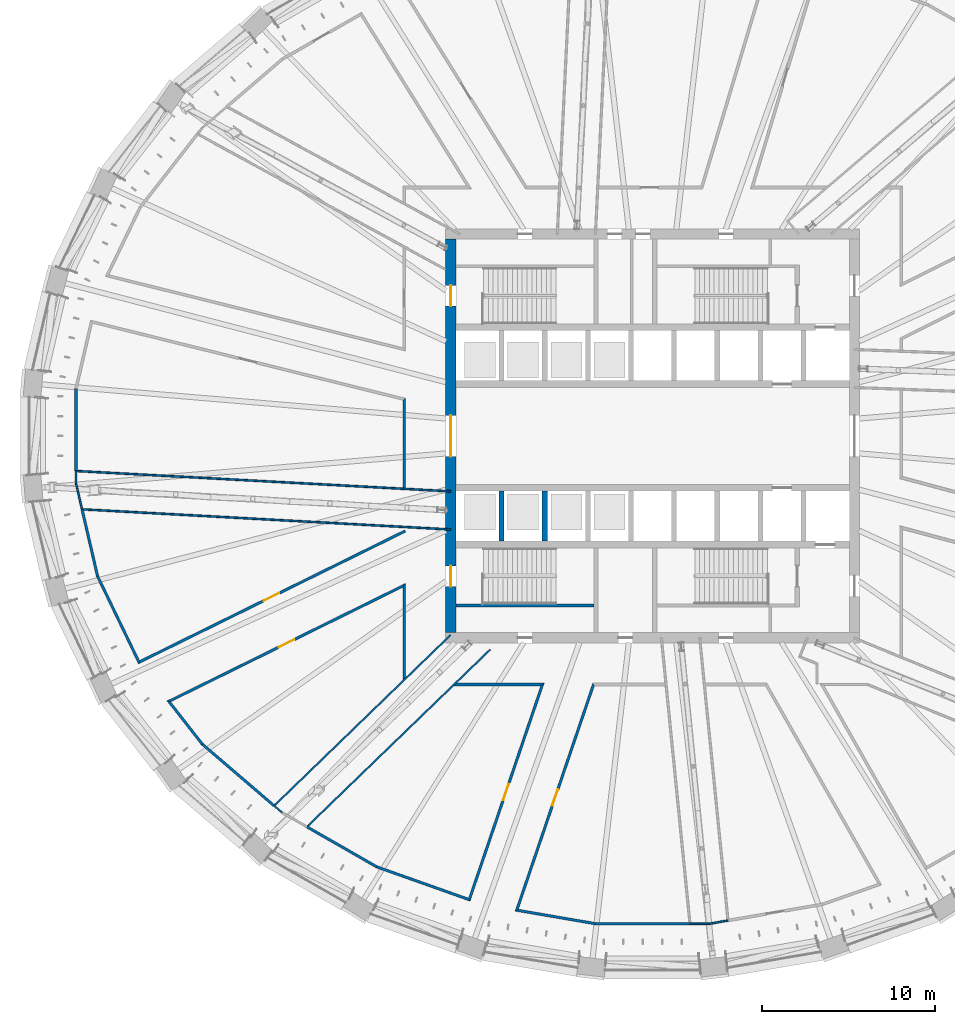
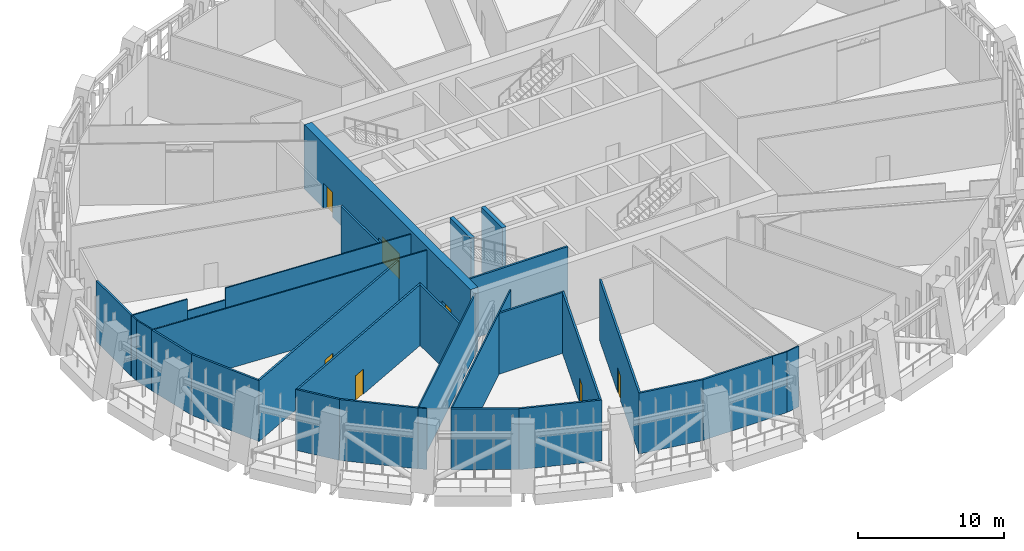
# One storey, part 7 of 22: 31 walls, 7 doors, 7 openings.
"""IFC4 building model written with IfcOpenShell, lengths in metres."""

import ifcopenshell
import ifcopenshell.guid

model = None  # the IFC model being written
_history = None  # IfcOwnerHistory: only IFC2X3 demands one
_inside = {}  # id of a spatial element -> (the spatial element, [elements in it])
_under = {}  # id of a project, library or spatial element -> (it, [spatial elements below it])
_declared = {}  # id of a project -> (the project, [libraries it declares])
_typed = {}  # id of a type object -> (the type object, [elements of that type])
_made_of = {}  # id of a material, layer set ... -> (it, [elements and type objects made of it])


def new_model(schema):
    """Start an empty IFC model of exactly this schema.

    Asked for "IFC4X3", IfcOpenShell would pick the latest addendum, in which some entities
    have other attributes; the version numbers below select the first issue.
    IFC2X3 requires an IfcOwnerHistory on every rooted entity: one is made here for all.
    """
    global model, _history
    if schema == "IFC4X3":
        model = ifcopenshell.file(schema_version=(4, 3, 0, 0))
    else:
        model = ifcopenshell.file(schema=schema)
    _inside.clear()
    _under.clear()
    _declared.clear()
    _typed.clear()
    _made_of.clear()
    _history = None
    if model.schema == "IFC2X3":
        org = make("IfcOrganization", Name="unknown")
        user = make(
            "IfcPersonAndOrganization",
            ThePerson=make("IfcPerson", FamilyName="unknown"),
            TheOrganization=org,
        )
        app = make(
            "IfcApplication",
            ApplicationDeveloper=org,
            Version="unknown",
            ApplicationFullName="unknown",
            ApplicationIdentifier="unknown",
        )
        _history = make(
            "IfcOwnerHistory",
            OwningUser=user,
            OwningApplication=app,
            ChangeAction="ADDED",
            CreationDate=0,
        )
    return model


def make(cls, **values):
    """One entity of the class cls with the attributes given. An attribute that is None is left unset."""
    return model.create_entity(
        cls, **{name: value for name, value in values.items() if value is not None}
    )


def rooted(cls, **values):
    """An entity with a GlobalId (a new one), such as an element, a storey or a relation."""
    return make(cls, GlobalId=ifcopenshell.guid.new(), OwnerHistory=_history, **values)


def si_unit(unit_type, name, prefix=None):
    """IfcSIUnit, for example si_unit("LENGTHUNIT", "METRE", prefix="MILLI")."""
    return make("IfcSIUnit", UnitType=unit_type, Prefix=prefix, Name=name)


def assignment(units):
    """IfcUnitAssignment: the units of a project."""
    return None if units is None else make("IfcUnitAssignment", Units=units)


def point(xyz):
    """IfcCartesianPoint."""
    return None if xyz is None else make("IfcCartesianPoint", Coordinates=xyz)


def direction(xyz):
    """IfcDirection."""
    return None if xyz is None else make("IfcDirection", DirectionRatios=xyz)


def frame(location, z_axis=None, x_axis=None):
    """IfcAxis2Placement3D, a coordinate frame: its origin and axes. An axis left out is left unset."""
    return make(
        "IfcAxis2Placement3D",
        Location=point(location),
        Axis=direction(z_axis),
        RefDirection=direction(x_axis),
    )


def frame_2d(location, x_axis=None):
    """IfcAxis2Placement2D, a coordinate frame in the plane: its origin and x axis."""
    return make(
        "IfcAxis2Placement2D", Location=point(location), RefDirection=direction(x_axis)
    )


def origin():
    """The frame at (0, 0, 0) with its axes left unset."""
    return frame((0.0, 0.0, 0.0))


def place(relative_to, where):
    """IfcLocalPlacement: puts the frame where relative to a parent placement (None: the world)."""
    return make(
        "IfcLocalPlacement", PlacementRelTo=relative_to, RelativePlacement=where
    )


def context(
    kind, dimensions, precision=None, world=None, true_north=None, identifier=None
):
    """IfcGeometricRepresentationContext, for example the 3D "Model" context."""
    return make(
        "IfcGeometricRepresentationContext",
        ContextIdentifier=identifier,
        ContextType=kind,
        CoordinateSpaceDimension=dimensions,
        Precision=precision,
        WorldCoordinateSystem=world,
        TrueNorth=true_north,
    )


def subcontext(parent, identifier, kind, view, scale=None):
    """IfcGeometricRepresentationSubContext, for example "Body" below "Model"."""
    return make(
        "IfcGeometricRepresentationSubContext",
        ContextIdentifier=identifier,
        ContextType=kind,
        ParentContext=parent,
        TargetScale=scale,
        TargetView=view,
    )


def project(units=None, contexts=None):
    """IfcProject with its units and contexts."""
    return rooted(
        "IfcProject",
        Name="project",
        RepresentationContexts=contexts,
        UnitsInContext=assignment(units),
    )


def spatial(cls, under=None, at=None, **own):
    """A site, building, storey or space (cls), placed at a placement, below another one or the project."""
    s = rooted(cls, ObjectPlacement=at, **own)
    if under is not None:
        _under.setdefault(under.id(), (under, []))[1].append(s)
    return s


def polyline(points):
    """IfcPolyline through the points."""
    return make("IfcPolyline", Points=[point(p) for p in points])


def profile(cls, at=None, kind="AREA", **sizes):
    """A parametric profile (cls). Its sizes go by their IFC names, for example OverallWidth=200.0."""
    return make(cls, ProfileType=kind, Position=at, **sizes)


def rectangle(**sizes):
    """IfcRectangleProfileDef."""
    return profile("IfcRectangleProfileDef", **sizes)


def outline(outer, holes=None, kind="AREA"):
    """IfcArbitraryClosedProfileDef: a profile drawn as a closed curve; with holes, ...WithVoids."""
    if holes is None:
        return make("IfcArbitraryClosedProfileDef", ProfileType=kind, OuterCurve=outer)
    return make(
        "IfcArbitraryProfileDefWithVoids",
        ProfileType=kind,
        OuterCurve=outer,
        InnerCurves=holes,
    )


def extrude(swept, where, along, depth):
    """IfcExtrudedAreaSolid: the profile swept, set in the frame where, extruded along a direction by depth."""
    return make(
        "IfcExtrudedAreaSolid",
        SweptArea=swept,
        Position=where,
        ExtrudedDirection=direction(along),
        Depth=depth,
    )


def shape(context_of_items, identifier, shape_type, items):
    """IfcShapeRepresentation: the items that make up one representation, for example the "Body"."""
    return make(
        "IfcShapeRepresentation",
        ContextOfItems=context_of_items,
        RepresentationIdentifier=identifier,
        RepresentationType=shape_type,
        Items=items,
    )


def material(Name=None, Category=None):
    """IfcMaterial."""
    return make("IfcMaterial", Name=Name, Category=Category)


def layer(
    of_material, thickness, ventilated=None, Name=None, Category=None, Priority=None
):
    """IfcMaterialLayer: one layer of a wall or slab, of a material (None: an air gap)."""
    return make(
        "IfcMaterialLayer",
        Material=of_material,
        LayerThickness=thickness,
        IsVentilated=ventilated,
        Name=Name,
        Category=Category,
        Priority=Priority,
    )


def layer_set(layers, Name=None):
    """IfcMaterialLayerSet."""
    return make("IfcMaterialLayerSet", MaterialLayers=layers, LayerSetName=Name)


def made_of(thing, what):
    """Note that an element or type object is made of a material, layer set ...; save() writes the relation."""
    if what is not None:
        _made_of.setdefault(what.id(), (what, []))[1].append(thing)
    return thing


def type_object(cls, material=None, **own):
    """A type object (cls), such as IfcWallType, which elements share."""
    return made_of(rooted(cls, **own), material)


def element(
    cls,
    number,
    at=None,
    inside=None,
    cuts=None,
    type_object=None,
    material=None,
    context=None,
    identifier="Body",
    shape_type=None,
    held_by="IfcProductDefinitionShape",
    body=None,
    shapes=None,
    **own,
):
    """One element of the class cls, such as IfcWall. Its Tag is "e" and its number.

    at: its placement. inside: the storey or other place that contains it. cuts: it is an
    opening in that element (IfcRelVoidsElement). A single representation is given by context,
    identifier, shape_type and body (its items); several are given by shapes. held_by: the class
    of the entity that holds the representations. save() writes the other relations.
    """
    e = rooted(cls, Tag="e%d" % number, ObjectPlacement=at, **own)
    if body is not None:
        shapes = [shape(context, identifier, shape_type, body)]
    if shapes is not None:
        e.Representation = make(held_by, Representations=shapes)
    if inside is not None:
        _inside.setdefault(inside.id(), (inside, []))[1].append(e)
    if cuts is not None:
        rooted(
            "IfcRelVoidsElement", RelatingBuildingElement=cuts, RelatedOpeningElement=e
        )
    if type_object is not None:
        _typed.setdefault(type_object.id(), (type_object, []))[1].append(e)
    return made_of(e, material)


def fill(opening, filler):
    """IfcRelFillsElement: the door or window that sits in an opening."""
    return rooted(
        "IfcRelFillsElement",
        RelatingOpeningElement=opening,
        RelatedBuildingElement=filler,
    )


def aggregate(whole, parts):
    """IfcRelAggregates: a whole, such as a stair, and the parts it consists of."""
    return rooted("IfcRelAggregates", RelatingObject=whole, RelatedObjects=parts)


def save(model, path):
    """Write the relations noted so far, then the file.

    IfcRelAggregates (storeys below a building ...), IfcRelContainedInSpatialStructure (elements
    in a storey), IfcRelDefinesByType, IfcRelAssociatesMaterial and IfcRelDeclares: one each for
    every whole, place, type object, material and project.
    """
    for whole, parts in _under.values():
        aggregate(whole, parts)
    for where, things in _inside.values():
        rooted(
            "IfcRelContainedInSpatialStructure",
            RelatedElements=things,
            RelatingStructure=where,
        )
    for kind, things in _typed.values():
        rooted("IfcRelDefinesByType", RelatedObjects=things, RelatingType=kind)
    for what, things in _made_of.values():
        rooted("IfcRelAssociatesMaterial", RelatedObjects=things, RelatingMaterial=what)
    for by, libraries in _declared.values():
        rooted("IfcRelDeclares", RelatingContext=by, RelatedDefinitions=libraries)
    model.write(path)


model = new_model("IFC4")

# Units and contexts
model_context = context("Model", 3, precision=1e-05, world=origin(), true_north=direction((0.0, 1.0)))
body_context = subcontext(model_context, "Body", "Model", "MODEL_VIEW")
ifc_project = project(units=[si_unit("LENGTHUNIT", "METRE"), si_unit("AREAUNIT", "SQUARE_METRE"), si_unit("VOLUMEUNIT", "CUBIC_METRE"), si_unit("PLANEANGLEUNIT", "RADIAN"), si_unit("MASSUNIT", "GRAM", prefix="KILO")], contexts=[model_context])

# Site, building, storey
site_placement = place(None, origin())
site = spatial("IfcSite", under=ifc_project, at=site_placement, CompositionType="ELEMENT")
building_placement = place(site_placement, origin())
building = spatial("IfcBuilding", under=site, at=building_placement, Name="Halqa Exchange Tower", CompositionType="ELEMENT")
storey_placement = place(building_placement, frame((0.0, 0.0, 99.10009765625)))
storey = spatial("IfcBuildingStorey", under=building, at=storey_placement, Name="L22", CompositionType="ELEMENT", Elevation=99.10009765625)

# Walls
ifc_material_1 = material(Name="Fire-rated gypsum board")
ifc_layer_1 = layer(ifc_material_1, 0.14990234375)
ifc_layer_set_1 = layer_set([ifc_layer_1], Name="Fire-rated gypsum board")
wall_type_1 = type_object("IfcWallType", Name="Fire partition EI 60 150", PredefinedType="PARTITIONING", material=ifc_layer_set_1)
wall_1_placement = place(storey_placement, frame((-33.409912109375, 2.74853515625, 0.0), z_axis=(0.0, 0.0, 1.0), x_axis=(0.0, -1.0, 0.0)))
element("IfcWall", 1, at=wall_1_placement, inside=storey, type_object=wall_type_1, Name="L22-PWL-004", PredefinedType="PARTITIONING", context=body_context, shape_type="SweptSolid", body=[
    extrude(outline(polyline([(4.778564453125, 0.074951171875), (3.19140625, 0.074951171875), (1.604248046875, 0.074951171875), (0.01708984375, 0.074951171875), (0.0, -0.07470703125), (0.0, -0.074951171875), (1.5927734375, -0.074951171875), (3.185791015625, -0.074951171875), (4.778564453125, -0.074951171875), (4.778564453125, 0.074951171875)])), origin(), (0.0, 0.0, 1.0), 5.099853515625),
])
wall_2_placement = place(storey_placement, frame((-33.06005859375, -4.25, 0.0), z_axis=(0.0, 0.0, 1.0), x_axis=(0.225949368313, -0.974139047035, 0.0)))
element("IfcWall", 2, at=wall_2_placement, inside=storey, type_object=wall_type_1, Name="L22-PWL-005", PredefinedType="PARTITIONING", context=body_context, shape_type="SweptSolid", body=[
    extrude(outline(polyline([(0.0, -0.074951171875), (1.99560546875, -0.074951171875), (3.991455078125, -0.074951171875), (3.974609375, 0.074951171875), (1.9873046875, 0.074951171875), (0.0, 0.074951171875), (0.0, -0.074951171875)])), origin(), (0.0, 0.0, 1.0), 5.099853515625),
])
wall_3_placement = place(storey_placement, frame((-32.16357421875, -8.12255859375, 0.0), z_axis=(0.0, 0.0, 1.0), x_axis=(0.434115125131, -0.900857401664, 0.0)))
element("IfcWall", 3, at=wall_3_placement, inside=storey, type_object=wall_type_1, Name="L22-PWL-008", PredefinedType="PARTITIONING", context=body_context, shape_type="SweptSolid", body=[
    extrude(outline(polyline([(5.612060546875, -0.074951171875), (5.612060546875, -0.074951171875), (5.4609375, 0.074951171875), (3.646240234375, 0.074951171875), (1.831298828125, 0.074951171875), (0.0166015625, 0.074951171875), (0.0, -0.074462890625), (0.0, -0.074951171875), (1.87060546875, -0.074951171875), (3.741455078125, -0.074951171875), (5.612060546875, -0.074951171875)])), origin(), (0.0, 0.0, 1.0), 5.099853515625),
])

# Wall, opening, door
wall_4_placement = place(storey_placement, frame((-29.827880859375, -13.143310546875, 0.0), z_axis=(0.0, 0.0, 1.0), x_axis=(0.896984577942, 0.442061836098, 0.0)))
wall_4 = element("IfcWall", 4, at=wall_4_placement, inside=storey, type_object=wall_type_1, Name="L22-PWL-011", PredefinedType="PARTITIONING", context=body_context, shape_type="SweptSolid", body=[
    extrude(outline(polyline([(17.274658203125, 0.074951171875), (15.3720703125, 0.074951171875), (13.469482421875, 0.074951171875), (11.56689453125, 0.074951171875), (9.664306640625, 0.074951171875), (7.76171875, 0.074951171875), (5.859130859375, 0.074951171875), (3.95654296875, 0.074951171875), (2.053955078125, 0.074951171875), (0.1513671875, 0.074951171875), (0.000244140625, -0.074951171875), (1.91943359375, -0.074951171875), (3.8388671875, -0.074951171875), (5.75830078125, -0.074951171875), (7.677734375, -0.074951171875), (9.59716796875, -0.074951171875), (11.5166015625, -0.074951171875), (13.435791015625, -0.074951171875), (15.355224609375, -0.074951171875), (17.274658203125, -0.074951171875), (17.274658203125, 0.074951171875)])), origin(), (0.0, 0.0, 1.0), 5.099853515625),
])
opening_1_placement = place(wall_4_placement, frame((8.1376953125, 0.0, 0.0)))
opening_1 = element("IfcOpeningElement", 5, at=opening_1_placement, cuts=wall_4, Name="Opening L22-01", PredefinedType="OPENING", context=body_context, shape_type="SweptSolid", body=[
    extrude(rectangle(XDim=1.0, YDim=2.10009765625, at=frame_2d((0.5, 1.050048828125))), frame((0.0, 0.0869140625, 0.0), z_axis=(0.0, -1.0, 0.0), x_axis=(1.0, 0.0, 0.0)), (0.0, 0.0, 1.0), 0.173828125),
])
ifc_material_2 = material(Name="Steel fire door leaf", Category="steel")
door_type_1 = type_object("IfcDoorType", Name="Fire door FD30S 1000 x 2100", OperationType="SINGLE_SWING_LEFT", PredefinedType="DOOR", material=ifc_material_2)
door_1_placement = place(opening_1_placement, origin())
door_1 = element("IfcDoor", 6, at=door_1_placement, inside=storey, type_object=door_type_1, Name="L22-IDR-001", OperationType="SINGLE_SWING_RIGHT", OverallHeight=2.10009765625, OverallWidth=1.0, PredefinedType="DOOR", context=body_context, shape_type="SweptSolid", body=[
    extrude(rectangle(XDim=1.0, YDim=2.10009765625, at=frame_2d((0.5, 1.050048828125))), frame((0.0, 0.02490234375, 0.0), z_axis=(0.0, -1.0, 0.0), x_axis=(1.0, 0.0, 0.0)), (0.0, 0.0, 1.0), 0.050048828125),
])
fill(opening_1, door_1)

# Walls
wall_5_placement = place(storey_placement, frame((-28.0869140625, -15.307373046875, 0.0), z_axis=(0.0, 0.0, 1.0), x_axis=(0.616133967793, -0.787641373807, 0.0)))
element("IfcWall", 7, at=wall_5_placement, inside=storey, type_object=wall_type_1, Name="L22-PWL-012", PredefinedType="PARTITIONING", context=body_context, shape_type="SweptSolid", body=[
    extrude(outline(polyline([(0.0, -0.074951171875), (1.624267578125, -0.074951171875), (3.248291015625, -0.074951171875), (3.2333984375, 0.074951171875), (1.708984375, 0.074951171875), (0.184326171875, 0.074951171875), (0.0, -0.074951171875), (0.0, -0.074951171875)])), origin(), (0.0, 0.0, 1.0), 5.099853515625),
])
wall_6_placement = place(storey_placement, frame((-26.095703125, -17.855224609375, 0.0), z_axis=(0.0, 0.0, 1.0), x_axis=(0.758892304341, -0.651216147229, 0.0)))
element("IfcWall", 8, at=wall_6_placement, inside=storey, type_object=wall_type_1, Name="L22-PWL-015", PredefinedType="PARTITIONING", context=body_context, shape_type="SweptSolid", body=[
    extrude(outline(polyline([(5.4892578125, 0.074951171875), (3.66455078125, 0.074951171875), (1.839599609375, 0.074951171875), (0.014892578125, 0.074951171875), (0.0, -0.074951171875), (0.0, -0.074951171875), (1.829833984375, -0.074951171875), (3.659423828125, -0.074951171875), (5.4892578125, -0.074951171875), (5.4892578125, 0.074951171875)])), origin(), (0.0, 0.0, 1.0), 5.099853515625),
])
wall_7_placement = place(storey_placement, frame((-20.030029296875, -22.64990234375, 0.0), z_axis=(0.0, 0.0, 1.0), x_axis=(0.867705864806, -0.497077994062, 0.0)))
element("IfcWall", 9, at=wall_7_placement, inside=storey, type_object=wall_type_1, Name="L22-PWL-024", PredefinedType="PARTITIONING", context=body_context, shape_type="SweptSolid", body=[
    extrude(outline(polyline([(0.0, -0.074951171875), (1.55810546875, -0.074951171875), (3.1162109375, -0.074951171875), (4.67431640625, -0.074951171875), (4.66064453125, 0.074951171875), (3.107177734375, 0.074951171875), (1.553466796875, 0.074951171875), (0.0, 0.074951171875), (0.0, -0.074951171875)])), origin(), (0.0, 0.0, 1.0), 5.099853515625),
])
wall_8_placement = place(storey_placement, frame((-15.986328125, -24.9677734375, 0.0), z_axis=(0.0, 0.0, 1.0), x_axis=(0.94253008703, -0.334121287923, 0.0)))
element("IfcWall", 10, at=wall_8_placement, inside=storey, type_object=wall_type_1, Name="L22-PWL-027", PredefinedType="PARTITIONING", context=body_context, shape_type="SweptSolid", body=[
    extrude(outline(polyline([(0.0, -0.074951171875), (1.923095703125, -0.074951171875), (3.846435546875, -0.074951171875), (5.76953125, -0.074951171875), (5.61767578125, 0.074951171875), (3.74951171875, 0.074951171875), (1.881591796875, 0.074951171875), (0.013427734375, 0.074951171875), (0.0, -0.074462890625), (0.0, -0.074951171875)])), origin(), (0.0, 0.0, 1.0), 5.099853515625),
])
wall_9_placement = place(storey_placement, frame((-14.39990234375, -14.14697265625, 0.0), z_axis=(0.0, 0.0, 1.0), x_axis=(0.0, 1.0, 0.0)))
element("IfcWall", 11, at=wall_9_placement, inside=storey, type_object=wall_type_1, Name="L22-PWL-028", PredefinedType="PARTITIONING", context=body_context, shape_type="SweptSolid", body=[
    extrude(outline(polyline([(0.146240234375, -0.074951171875), (1.966796875, -0.074951171875), (3.787109375, -0.074951171875), (5.607666015625, -0.074951171875), (5.487060546875, 0.0), (5.36669921875, 0.074951171875), (3.578125, 0.074951171875), (1.78955078125, 0.074951171875), (0.001220703125, 0.074951171875), (0.146240234375, -0.074951171875)])), origin(), (0.0, 0.0, 1.0), 5.099853515625),
])

# Wall, opening, door
wall_10_placement = place(storey_placement, frame((-14.291748046875, -8.606689453125, 0.0), z_axis=(0.0, 0.0, 1.0), x_axis=(-0.896913310142, -0.442206415703, 0.0)))
wall_10 = element("IfcWall", 12, at=wall_10_placement, inside=storey, type_object=wall_type_1, Name="L22-PWL-029", PredefinedType="PARTITIONING", context=body_context, shape_type="SweptSolid", body=[
    extrude(outline(polyline([(0.000244140625, -0.074951171875), (1.92626953125, -0.074951171875), (3.8525390625, -0.074951171875), (5.778564453125, -0.074951171875), (7.704833984375, -0.074951171875), (9.630859375, -0.074951171875), (11.55712890625, -0.074951171875), (13.483154296875, -0.074951171875), (15.409423828125, -0.074951171875), (15.224853515625, 0.074951171875), (13.35205078125, 0.074951171875), (11.47900390625, 0.074951171875), (9.60595703125, 0.074951171875), (7.733154296875, 0.074951171875), (5.860107421875, 0.074951171875), (3.9873046875, 0.074951171875), (2.1142578125, 0.074951171875), (0.2412109375, 0.074951171875), (0.000244140625, -0.074951171875)])), origin(), (0.0, 0.0, 1.0), 5.099853515625),
])
opening_2_placement = place(wall_10_placement, frame((7.218994140625, 0.0, 0.0)))
opening_2 = element("IfcOpeningElement", 13, at=opening_2_placement, cuts=wall_10, Name="Opening L22-02", PredefinedType="OPENING", context=body_context, shape_type="SweptSolid", body=[
    extrude(rectangle(XDim=1.0, YDim=2.10009765625, at=frame_2d((0.5, 1.050048828125))), frame((0.0, 0.0869140625, 0.0), z_axis=(0.0, -1.0, 0.0), x_axis=(1.0, 0.0, 0.0)), (0.0, 0.0, 1.0), 0.173828125),
])
door_2_placement = place(opening_2_placement, origin())
door_2 = element("IfcDoor", 14, at=door_2_placement, inside=storey, type_object=door_type_1, Name="L22-IDR-002", OperationType="SINGLE_SWING_RIGHT", OverallHeight=2.10009765625, OverallWidth=1.0, PredefinedType="DOOR", context=body_context, shape_type="SweptSolid", body=[
    extrude(rectangle(XDim=1.0, YDim=2.10009765625, at=frame_2d((0.5, 1.050048828125))), frame((0.0, 0.02490234375, 0.0), z_axis=(0.0, -1.0, 0.0), x_axis=(1.0, 0.0, 0.0)), (0.0, 0.0, 1.0), 0.050048828125),
])
fill(opening_2, door_2)

# Wall
wall_11_placement = place(storey_placement, frame((-14.39990234375, -3.01708984375, 0.0), z_axis=(0.0, 0.0, 1.0), x_axis=(0.0, 1.0, 0.0)))
element("IfcWall", 15, at=wall_11_placement, inside=storey, type_object=wall_type_1, Name="L22-PWL-030", PredefinedType="PARTITIONING", context=body_context, shape_type="SweptSolid", body=[
    extrude(outline(polyline([(0.0, -0.074951171875), (1.7353515625, -0.074951171875), (3.470458984375, -0.074951171875), (5.205810546875, -0.074951171875), (5.14697265625, 0.0), (5.088623046875, 0.074951171875), (3.39501953125, 0.074951171875), (1.701416015625, 0.074951171875), (0.008056640625, 0.074951171875), (0.0, -0.0712890625), (0.0, -0.074951171875)])), origin(), (0.0, 0.0, 1.0), 5.099853515625),
])

# Wall, opening, door
wall_12_placement = place(storey_placement, frame((-10.64453125, -26.94189453125, 0.0), z_axis=(0.0, 0.0, 1.0), x_axis=(0.321926990849, 0.946764496886, 0.0)))
wall_12 = element("IfcWall", 16, at=wall_12_placement, inside=storey, type_object=wall_type_1, Name="L22-PWL-036", PredefinedType="PARTITIONING", context=body_context, shape_type="SweptSolid", body=[
    extrude(outline(polyline([(13.351806640625, -0.074951171875), (13.351806640625, -0.074951171875), (13.142578125, 0.074951171875), (11.28662109375, 0.074951171875), (9.430908203125, 0.074951171875), (7.5751953125, 0.074951171875), (5.71923828125, 0.074951171875), (3.863525390625, 0.074951171875), (2.0078125, 0.074951171875), (0.15185546875, 0.074951171875), (0.000244140625, -0.074951171875), (1.907470703125, -0.074951171875), (3.81494140625, -0.074951171875), (5.72216796875, -0.074951171875), (7.629638671875, -0.074951171875), (9.537109375, -0.074951171875), (11.4443359375, -0.074951171875), (13.351806640625, -0.074951171875)])), origin(), (0.0, 0.0, 1.0), 5.099853515625),
])
opening_3_placement = place(wall_12_placement, frame((6.16162109375, 0.0, 0.0)))
opening_3 = element("IfcOpeningElement", 17, at=opening_3_placement, cuts=wall_12, Name="Opening L22-03", PredefinedType="OPENING", context=body_context, shape_type="SweptSolid", body=[
    extrude(rectangle(XDim=1.0, YDim=2.10009765625, at=frame_2d((0.5, 1.050048828125))), frame((0.0, 0.0869140625, 0.0), z_axis=(0.0, -1.0, 0.0), x_axis=(1.0, 0.0, 0.0)), (0.0, 0.0, 1.0), 0.173828125),
])
door_3_placement = place(opening_3_placement, origin())
door_3 = element("IfcDoor", 18, at=door_3_placement, inside=storey, type_object=door_type_1, Name="L22-IDR-003", OperationType="SINGLE_SWING_RIGHT", OverallHeight=2.10009765625, OverallWidth=1.0, PredefinedType="DOOR", context=body_context, shape_type="SweptSolid", body=[
    extrude(rectangle(XDim=1.0, YDim=2.10009765625, at=frame_2d((0.5, 1.050048828125))), frame((0.0, 0.02490234375, 0.0), z_axis=(0.0, -1.0, 0.0), x_axis=(1.0, 0.0, 0.0)), (0.0, 0.0, 1.0), 0.050048828125),
])
fill(opening_3, door_3)

# Walls
wall_13_placement = place(storey_placement, frame((-7.95654296875, -27.465087890625, 0.0), z_axis=(0.0, 0.0, 1.0), x_axis=(0.985561893729, -0.169315544559, 0.0)))
element("IfcWall", 19, at=wall_13_placement, inside=storey, type_object=wall_type_1, Name="L22-PWL-038", PredefinedType="PARTITIONING", context=body_context, shape_type="SweptSolid", body=[
    extrude(outline(polyline([(4.70068359375, -0.074951171875), (4.70068359375, -0.074462890625), (4.68798828125, 0.074951171875), (3.183837890625, 0.074951171875), (1.6796875, 0.074951171875), (0.17578125, 0.074951171875), (0.0, -0.074951171875), (1.56689453125, -0.074951171875), (3.1337890625, -0.074951171875), (4.70068359375, -0.074951171875)])), origin(), (0.0, 0.0, 1.0), 5.099853515625),
])
wall_14_placement = place(storey_placement, frame((-6.275390625, -14.39990234375, 0.0), z_axis=(0.0, 0.0, 1.0), x_axis=(-1.0, 0.0, 0.0)))
element("IfcWall", 20, at=wall_14_placement, inside=storey, type_object=wall_type_1, Name="L22-PWL-040", PredefinedType="PARTITIONING", context=body_context, shape_type="SweptSolid", body=[
    extrude(outline(polyline([(0.0, -0.074951171875), (1.69140625, -0.074951171875), (3.3828125, -0.074951171875), (5.07421875, -0.074951171875), (5.22900390625, 0.07470703125), (5.22900390625, 0.074951171875), (3.5556640625, 0.074951171875), (1.88232421875, 0.074951171875), (0.209228515625, 0.074951171875), (0.1044921875, 0.0), (0.0, -0.074951171875), (0.0, -0.074951171875)])), origin(), (0.0, 0.0, 1.0), 5.099853515625),
])

# Wall, opening, door
wall_15_placement = place(storey_placement, frame((-3.402587890625, -14.34912109375, 0.0), z_axis=(0.0, 0.0, 1.0), x_axis=(-0.32208303293, -0.946711423771, 0.0)))
wall_15 = element("IfcWall", 21, at=wall_15_placement, inside=storey, type_object=wall_type_1, Name="L22-PWL-043", PredefinedType="PARTITIONING", context=body_context, shape_type="SweptSolid", body=[
    extrude(outline(polyline([(0.000244140625, -0.074951171875), (1.994140625, -0.074951171875), (3.988037109375, -0.074951171875), (5.98193359375, -0.074951171875), (7.975830078125, -0.074951171875), (9.9697265625, -0.074951171875), (11.9638671875, -0.074951171875), (13.957763671875, -0.074951171875), (13.781982421875, 0.074951171875), (11.82861328125, 0.074951171875), (9.875, 0.074951171875), (7.921630859375, 0.074951171875), (5.968017578125, 0.074951171875), (4.0146484375, 0.074951171875), (2.06103515625, 0.074951171875), (0.107421875, 0.074951171875), (0.000244140625, -0.074951171875)])), origin(), (0.0, 0.0, 1.0), 5.099853515625),
])
opening_4_placement = place(wall_15_placement, frame((6.4619140625, 0.0, 0.0)))
opening_4 = element("IfcOpeningElement", 22, at=opening_4_placement, cuts=wall_15, Name="Opening L22-04", PredefinedType="OPENING", context=body_context, shape_type="SweptSolid", body=[
    extrude(rectangle(XDim=1.0, YDim=2.10009765625, at=frame_2d((0.5, 1.050048828125))), frame((0.0, 0.0869140625, 0.0), z_axis=(0.0, -1.0, 0.0), x_axis=(1.0, 0.0, 0.0)), (0.0, 0.0, 1.0), 0.173828125),
])
door_4_placement = place(opening_4_placement, origin())
door_4 = element("IfcDoor", 23, at=door_4_placement, inside=storey, type_object=door_type_1, Name="L22-IDR-004", OperationType="SINGLE_SWING_LEFT", OverallHeight=2.10009765625, OverallWidth=1.0, PredefinedType="DOOR", context=body_context, shape_type="SweptSolid", body=[
    extrude(rectangle(XDim=1.0, YDim=2.10009765625, at=frame_2d((0.5, 1.050048828125))), frame((0.0, 0.02490234375, 0.0), z_axis=(0.0, -1.0, 0.0), x_axis=(1.0, 0.0, 0.0)), (0.0, 0.0, 1.0), 0.050048828125),
])
fill(opening_4, door_4)

# Walls
wall_16_placement = place(storey_placement, frame((-3.33642578125, -28.260009765625, 0.0), z_axis=(0.0, 0.0, 1.0), x_axis=(1.0, 0.0, 0.0)))
element("IfcWall", 24, at=wall_16_placement, inside=storey, type_object=wall_type_1, Name="L22-PWL-044", PredefinedType="PARTITIONING", context=body_context, shape_type="SweptSolid", body=[
    extrude(outline(polyline([(5.50634765625, 0.074951171875), (3.675048828125, 0.074951171875), (1.843994140625, 0.074951171875), (0.0126953125, 0.074951171875), (0.0, -0.074951171875), (1.83544921875, -0.074951171875), (3.6708984375, -0.074951171875), (5.50634765625, -0.074951171875), (5.50634765625, 0.074951171875)])), origin(), (0.0, 0.0, 1.0), 5.099853515625),
])
ifc_material_3 = material(Name="Gypsum board")
ifc_layer_2 = layer(ifc_material_3, 0.10009765625)
ifc_layer_set_2 = layer_set([ifc_layer_2], Name="Gypsum board")
wall_type_2 = type_object("IfcWallType", Name="Partition 100 gypsum", PredefinedType="PARTITIONING", material=ifc_layer_set_2)
wall_17_placement = place(storey_placement, frame((-33.411376953125, -2.734375, 0.0), z_axis=(0.0, 0.0, 1.0), x_axis=(0.225810628432, -0.974171217029, 0.0)))
element("IfcWall", 25, at=wall_17_placement, inside=storey, type_object=wall_type_2, Name="L22-PWL-001", PredefinedType="PARTITIONING", context=body_context, shape_type="SweptSolid", body=[
    extrude(outline(polyline([(1.555908203125, 0.050048828125), (0.011474609375, 0.050048828125), (0.0, -0.050048828125), (1.555908203125, -0.050048828125), (1.555908203125, 0.050048828125)])), origin(), (0.0, 0.0, 1.0), 5.099853515625),
])
wall_18_placement = place(storey_placement, frame((-33.409912109375, -2.030029296875, 0.0), z_axis=(0.0, 0.0, 1.0), x_axis=(0.0, -1.0, 0.0)))
element("IfcWall", 26, at=wall_18_placement, inside=storey, type_object=wall_type_2, Name="L22-PWL-002", PredefinedType="PARTITIONING", context=body_context, shape_type="SweptSolid", body=[
    extrude(outline(polyline([(0.715576171875, -0.050048828125), (0.715576171875, -0.049072265625), (0.704345703125, 0.050048828125), (0.0, 0.050048828125), (0.0, -0.050048828125), (0.715576171875, -0.050048828125)])), origin(), (0.0, 0.0, 1.0), 5.099853515625),
])
wall_19_placement = place(storey_placement, frame((-33.357177734375, -2.032958984375, 0.0), z_axis=(0.0, 0.0, 1.0), x_axis=(0.998528308969, -0.054232980631, 0.0)))
element("IfcWall", 27, at=wall_19_placement, inside=storey, type_object=wall_type_2, Name="L22-PWL-003", PredefinedType="PARTITIONING", context=body_context, shape_type="SweptSolid", body=[
    extrude(outline(polyline([(4.1865234375, 0.050048828125), (2.797607421875, 0.050048828125), (1.408447265625, 0.050048828125), (0.01953125, 0.050048828125), (0.02197265625, 0.004150390625), (0.0, 0.0029296875), (0.0, -0.050048828125), (1.3955078125, -0.050048828125), (2.791015625, -0.050048828125), (4.1865234375, -0.050048828125), (4.1865234375, 0.050048828125)])), origin(), (0.0, 0.0, 1.0), 5.099853515625),
])
wall_20_placement = place(storey_placement, frame((-33.022216796875, -4.252197265625, 0.0), z_axis=(0.0, 0.0, 1.0), x_axis=(0.998503734749, -0.054683559624, 0.0)))
element("IfcWall", 28, at=wall_20_placement, inside=storey, type_object=wall_type_2, Name="L22-PWL-006", PredefinedType="PARTITIONING", context=body_context, shape_type="SweptSolid", body=[
    extrude(outline(polyline([(0.0, 0.050048828125), (0.0, 0.049072265625), (0.01025390625, 0.01416015625), (0.0341796875, 0.02099609375), (0.054931640625, -0.050048828125), (1.9912109375, -0.050048828125), (3.927490234375, -0.050048828125), (5.86376953125, -0.050048828125), (7.800048828125, -0.050048828125), (9.736328125, -0.050048828125), (11.672607421875, -0.050048828125), (13.60888671875, -0.050048828125), (15.54541015625, -0.050048828125), (17.481689453125, -0.050048828125), (19.41796875, -0.050048828125), (21.354248046875, -0.050048828125), (21.354248046875, 0.050048828125), (19.412841796875, 0.050048828125), (17.4716796875, 0.050048828125), (15.5302734375, 0.050048828125), (13.589111328125, 0.050048828125), (11.647705078125, 0.050048828125), (9.70654296875, 0.050048828125), (7.76513671875, 0.050048828125), (5.823974609375, 0.050048828125), (3.882568359375, 0.050048828125), (1.94140625, 0.050048828125), (0.0, 0.050048828125)])), origin(), (0.0, 0.0, 1.0), 5.099853515625),
])
wall_21_placement = place(storey_placement, frame((-21.929931640625, -21.429931640625, 0.0), z_axis=(0.0, 0.0, 1.0), x_axis=(0.761386795388, -0.648297885088, 0.0)))
element("IfcWall", 29, at=wall_21_placement, inside=storey, type_object=wall_type_2, Name="L22-PWL-019", PredefinedType="PARTITIONING", context=body_context, shape_type="SweptSolid", body=[
    extrude(outline(polyline([(0.0, -0.050048828125), (0.621826171875, -0.050048828125), (0.612548828125, 0.050048828125), (0.0, 0.050048828125), (0.0, -0.050048828125)])), origin(), (0.0, 0.0, 1.0), 5.099853515625),
])
wall_22_placement = place(storey_placement, frame((-21.89013671875, -21.391357421875, 0.0), z_axis=(0.0, 0.0, 1.0), x_axis=(0.718607137454, 0.695416265269, 0.0)))
element("IfcWall", 30, at=wall_22_placement, inside=storey, type_object=wall_type_2, Name="L22-PWL-020", PredefinedType="PARTITIONING", context=body_context, shape_type="SweptSolid", body=[
    extrude(outline(polyline([(14.180419921875, 0.050048828125), (12.378173828125, 0.050048828125), (10.575927734375, 0.050048828125), (10.572998046875, 0.046875), (10.56982421875, 0.050048828125), (8.810546875, 0.050048828125), (7.051513671875, 0.050048828125), (5.29248046875, 0.050048828125), (3.533447265625, 0.050048828125), (1.774169921875, 0.050048828125), (0.01513671875, 0.050048828125), (0.01904296875, 0.0068359375), (0.0, 0.005126953125), (0.0, -0.050048828125), (1.7724609375, -0.050048828125), (3.545166015625, -0.050048828125), (5.317626953125, -0.050048828125), (7.09033203125, -0.050048828125), (8.86279296875, -0.050048828125), (10.63525390625, -0.050048828125), (12.407958984375, -0.050048828125), (14.180419921875, -0.050048828125), (14.180419921875, 0.050048828125)])), origin(), (0.0, 0.0, 1.0), 5.099853515625),
])
wall_23_placement = place(storey_placement, frame((-20.002685546875, -22.62353515625, 0.0), z_axis=(0.0, 0.0, 1.0), x_axis=(0.718850780889, 0.695164408478, 0.0)))
element("IfcWall", 31, at=wall_23_placement, inside=storey, type_object=wall_type_2, Name="L22-PWL-025", PredefinedType="PARTITIONING", context=body_context, shape_type="SweptSolid", body=[
    extrude(outline(polyline([(0.054443359375, -0.050048828125), (2.04296875, -0.050048828125), (4.03125, -0.050048828125), (6.019775390625, -0.050048828125), (8.008056640625, -0.050048828125), (9.99658203125, -0.050048828125), (11.98486328125, -0.050048828125), (11.987060546875, -0.0478515625), (11.9892578125, -0.050048828125), (13.369384765625, -0.050048828125), (14.74951171875, -0.050048828125), (14.74951171875, 0.050048828125), (12.90576171875, 0.050048828125), (11.06201171875, 0.050048828125), (9.218505859375, 0.050048828125), (7.374755859375, 0.050048828125), (5.531005859375, 0.050048828125), (3.6875, 0.050048828125), (1.84375, 0.050048828125), (0.0, 0.050048828125), (0.0, 0.048583984375), (0.010009765625, 0.013916015625), (0.033935546875, 0.020751953125), (0.054443359375, -0.050048828125)])), origin(), (0.0, 0.0, 1.0), 5.099853515625),
])
wall_24_placement = place(storey_placement, frame((2.169921875, -28.260009765625, 0.0), z_axis=(0.0, 0.0, 1.0), x_axis=(1.0, 0.0, 0.0)))
element("IfcWall", 32, at=wall_24_placement, inside=storey, type_object=wall_type_2, Name="L22-PWL-051", PredefinedType="PARTITIONING", context=body_context, shape_type="SweptSolid", body=[
    extrude(outline(polyline([(1.164306640625, -0.050048828125), (1.164306640625, -0.04931640625), (1.15576171875, 0.050048828125), (0.0, 0.050048828125), (0.0, -0.050048828125), (1.164306640625, -0.050048828125)])), origin(), (0.0, 0.0, 1.0), 5.099853515625),
])
wall_25_placement = place(storey_placement, frame((3.32568359375, -28.2607421875, 0.0), z_axis=(0.0, 0.0, 1.0), x_axis=(0.985366876911, 0.170446818353, 0.0)))
element("IfcWall", 33, at=wall_25_placement, inside=storey, type_object=wall_type_2, Name="L22-PWL-054", PredefinedType="PARTITIONING", context=body_context, shape_type="SweptSolid", body=[
    extrude(outline(polyline([(1.06005859375, 0.050048828125), (0.0087890625, 0.050048828125), (0.0, -0.050048828125), (1.06005859375, -0.050048828125), (1.06005859375, 0.050048828125)])), origin(), (0.0, 0.0, 1.0), 5.099853515625),
])
wall_26_placement = place(storey_placement, frame((-29.1767578125, -2.260009765625, 0.0), z_axis=(0.0, 0.0, 1.0), x_axis=(0.998523031991, -0.054330052312, 0.0)))
element("IfcWall", 34, at=wall_26_placement, inside=storey, type_object=wall_type_2, Name="L22-PWL-101", PredefinedType="PARTITIONING", context=body_context, shape_type="SweptSolid", body=[
    extrude(outline(polyline([(0.0, 0.050048828125), (0.0, -0.050048828125), (1.46484375, -0.050048828125), (2.929931640625, -0.050048828125), (2.929931640625, 0.050048828125), (1.46484375, 0.050048828125), (0.0, 0.050048828125)])), origin(), (0.0, 0.0, 1.0), 4.10986328125),
])
wall_27_placement = place(storey_placement, frame((-26.251220703125, -2.419189453125, 0.0), z_axis=(0.0, 0.0, 1.0), x_axis=(0.998526637546, -0.054263745831, 0.0)))
element("IfcWall", 35, at=wall_27_placement, inside=storey, type_object=wall_type_2, Name="L22-PWL-102", PredefinedType="PARTITIONING", context=body_context, shape_type="SweptSolid", body=[
    extrude(outline(polyline([(14.57275390625, 0.050048828125), (13.190673828125, 0.050048828125), (11.808837890625, 0.050048828125), (11.791015625, 0.049072265625), (11.790771484375, 0.050048828125), (9.82568359375, 0.050048828125), (7.860595703125, 0.050048828125), (5.8955078125, 0.050048828125), (3.93017578125, 0.050048828125), (1.965087890625, 0.050048828125), (0.0, 0.050048828125), (0.0, -0.050048828125), (1.821533203125, -0.050048828125), (3.64306640625, -0.050048828125), (5.46484375, -0.050048828125), (7.286376953125, -0.050048828125), (9.10791015625, -0.050048828125), (10.9296875, -0.050048828125), (12.751220703125, -0.050048828125), (14.57275390625, -0.050048828125), (14.57275390625, 0.050048828125)])), origin(), (0.0, 0.0, 1.0), 5.099853515625),
])
ifc_material_4 = material(Name="Concrete C60/75", Category="concrete")
ifc_layer_3 = layer(ifc_material_4, 0.300048828125)
ifc_layer_set_3 = layer_set([ifc_layer_3], Name="Concrete C60/75")
wall_type_3 = type_object("IfcWallType", Name="RC core wall 300", PredefinedType="SHEAR", material=ifc_layer_set_3)
for number, where, z_axis, x_axis, name in (
    (36, (-8.75, -6.10009765625, 0.0), (0.0, 0.0, 1.0), (0.0, 1.0, 0.0), "Shaft divider S1"),
    (37, (-6.25, -6.10009765625, 0.0), (0.0, 0.0, 1.0), (0.0, 1.0, 0.0), "Shaft divider S2"),
):
    element("IfcWall", number, at=place(storey_placement, frame(where, z_axis=z_axis, x_axis=x_axis)), inside=storey, type_object=wall_type_3, Name=name, PredefinedType="SHEAR", context=body_context, shape_type="SweptSolid", body=[
        extrude(rectangle(XDim=2.900146484375, YDim=0.300048828125, at=frame_2d((1.4501953125, 0.0))), origin(), (0.0, 0.0, 1.0), 5.39990234375),
    ])

# Wall, openings, doors
ifc_material_5 = material(Name="Concrete C80/95", Category="concrete")
ifc_layer_4 = layer(ifc_material_5, 0.60009765625)
ifc_layer_set_4 = layer_set([ifc_layer_4], Name="Concrete C80/95")
wall_type_4 = type_object("IfcWallType", Name="RC core wall 600 C80/95", PredefinedType="SHEAR", material=ifc_layer_set_4)
wall_28_placement = place(storey_placement, frame((-11.699951171875, -11.39990234375, 0.0), z_axis=(0.0, 0.0, 1.0), x_axis=(0.0, 1.0, 0.0)))
wall_28 = element("IfcWall", 38, at=wall_28_placement, inside=storey, type_object=wall_type_4, Name="Core wall west", PredefinedType="SHEAR", context=body_context, shape_type="SweptSolid", body=[
    extrude(rectangle(XDim=22.7998046875, YDim=0.60009765625, at=frame_2d((11.39990234375, 0.0))), origin(), (0.0, 0.0, 1.0), 5.39990234375),
])
opening_5_placement = place(wall_28_placement, frame((10.199951171875, 0.0, 0.0)))
opening_5 = element("IfcOpeningElement", 39, at=opening_5_placement, cuts=wall_28, Name="Opening L22-C05", PredefinedType="OPENING", context=body_context, shape_type="SweptSolid", body=[
    extrude(rectangle(XDim=2.39990234375, YDim=2.10009765625, at=frame_2d((1.199951171875, 1.050048828125))), frame((0.0, 0.31201171875, 0.0), z_axis=(0.0, -1.0, 0.0), x_axis=(1.0, 0.0, 0.0)), (0.0, 0.0, 1.0), 0.6240234375),
])
opening_6_placement = place(wall_28_placement, frame((18.925048828125, 0.0, 0.0)))
opening_6 = element("IfcOpeningElement", 40, at=opening_6_placement, cuts=wall_28, Name="Opening L22-C07", PredefinedType="OPENING", context=body_context, shape_type="SweptSolid", body=[
    extrude(rectangle(XDim=1.199951171875, YDim=2.10009765625, at=frame_2d((0.60009765625, 1.050048828125))), frame((0.0, 0.31201171875, 0.0), z_axis=(0.0, -1.0, 0.0), x_axis=(1.0, 0.0, 0.0)), (0.0, 0.0, 1.0), 0.6240234375),
])
opening_7_placement = place(wall_28_placement, frame((2.675048828125, 0.0, 0.0)))
opening_7 = element("IfcOpeningElement", 41, at=opening_7_placement, cuts=wall_28, Name="Opening L22-C09", PredefinedType="OPENING", context=body_context, shape_type="SweptSolid", body=[
    extrude(rectangle(XDim=1.199951171875, YDim=2.10009765625, at=frame_2d((0.60009765625, 1.050048828125))), frame((0.0, 0.31201171875, 0.0), z_axis=(0.0, -1.0, 0.0), x_axis=(1.0, 0.0, 0.0)), (0.0, 0.0, 1.0), 0.6240234375),
])
door_type_2 = type_object("IfcDoorType", Name="Lobby double door FD60 2400 x 2100", OperationType="DOUBLE_DOOR_SINGLE_SWING", PredefinedType="DOOR", material=ifc_material_2)
door_5_placement = place(opening_5_placement, origin())
door_5 = element("IfcDoor", 42, at=door_5_placement, inside=storey, type_object=door_type_2, Name="Lift lobby double door", OperationType="DOUBLE_DOOR_SINGLE_SWING", OverallHeight=2.10009765625, OverallWidth=2.39990234375, PredefinedType="DOOR", context=body_context, shape_type="SweptSolid", body=[
    extrude(rectangle(XDim=2.39990234375, YDim=2.10009765625, at=frame_2d((1.199951171875, 1.050048828125))), frame((0.0, 0.02490234375, 0.0), z_axis=(0.0, -1.0, 0.0), x_axis=(1.0, 0.0, 0.0)), (0.0, 0.0, 1.0), 0.050048828125),
])
fill(opening_5, door_5)
door_type_3 = type_object("IfcDoorType", Name="Stair door FD90 1200 x 2100", OperationType="SINGLE_SWING_LEFT", PredefinedType="DOOR", material=ifc_material_2)
door_6_placement = place(opening_6_placement, frame((1.199951171875, 0.0, 0.0), z_axis=(0.0, 0.0, 1.0), x_axis=(-1.0, 0.0, 0.0)))
door_6 = element("IfcDoor", 43, at=door_6_placement, inside=storey, type_object=door_type_3, Name="Stair door ST1", OperationType="SINGLE_SWING_RIGHT", OverallHeight=2.10009765625, OverallWidth=1.199951171875, PredefinedType="DOOR", context=body_context, shape_type="SweptSolid", body=[
    extrude(rectangle(XDim=1.199951171875, YDim=2.10009765625, at=frame_2d((0.60009765625, 1.050048828125))), frame((0.0, 0.02490234375, 0.0), z_axis=(0.0, -1.0, 0.0), x_axis=(1.0, 0.0, 0.0)), (0.0, 0.0, 1.0), 0.050048828125),
])
fill(opening_6, door_6)
door_7_placement = place(opening_7_placement, frame((1.199951171875, 0.0, 0.0), z_axis=(0.0, 0.0, 1.0), x_axis=(-1.0, 0.0, 0.0)))
door_7 = element("IfcDoor", 44, at=door_7_placement, inside=storey, type_object=door_type_3, Name="Stair door ST3", OperationType="SINGLE_SWING_LEFT", OverallHeight=2.10009765625, OverallWidth=1.199951171875, PredefinedType="DOOR", context=body_context, shape_type="SweptSolid", body=[
    extrude(rectangle(XDim=1.199951171875, YDim=2.10009765625, at=frame_2d((0.60009765625, 1.050048828125))), frame((0.0, 0.02490234375, 0.0), z_axis=(0.0, -1.0, 0.0), x_axis=(1.0, 0.0, 0.0)), (0.0, 0.0, 1.0), 0.050048828125),
])
fill(opening_7, door_7)

# Wall
ifc_material_6 = material(Name="Concrete C30/37", Category="concrete")
ifc_layer_5 = layer(ifc_material_6, 0.14990234375)
ifc_layer_set_5 = layer_set([ifc_layer_5], Name="Concrete C30/37")
wall_type_5 = type_object("IfcWallType", Name="RC stair wall 150 C30/37", PredefinedType="SHEAR", material=ifc_layer_set_5)
wall_29_placement = place(storey_placement, frame((-11.39990234375, -9.824951171875, 0.0), z_axis=(0.0, 0.0, 1.0), x_axis=(1.0, 0.0, 0.0)))
element("IfcWall", 45, at=wall_29_placement, inside=storey, type_object=wall_type_5, Name="Stair ST1 north wall S", PredefinedType="SHEAR", context=body_context, shape_type="SweptSolid", body=[
    extrude(rectangle(XDim=8.0, YDim=0.14990234375, at=frame_2d((4.0, 0.0))), origin(), (0.0, 0.0, 1.0), 5.099853515625),
])

save(model, "model.ifc")
